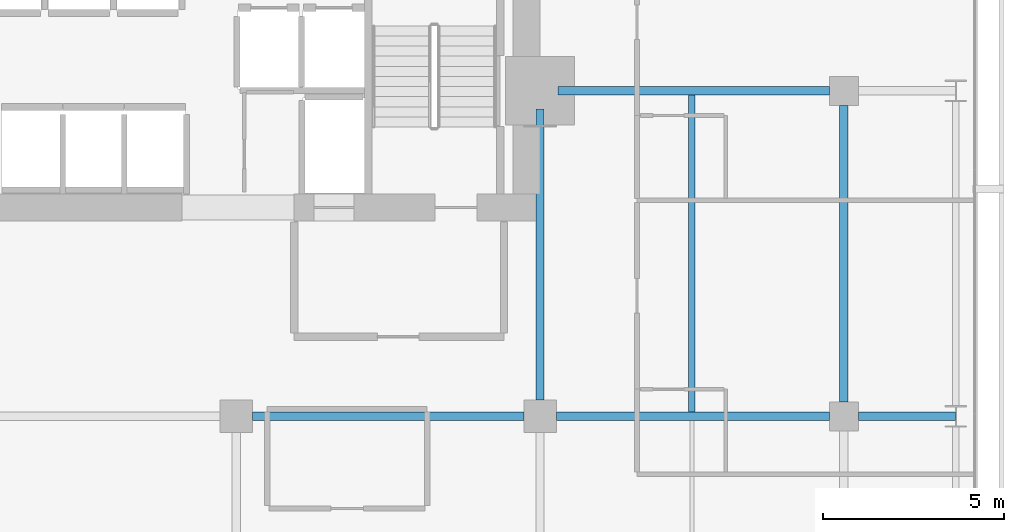
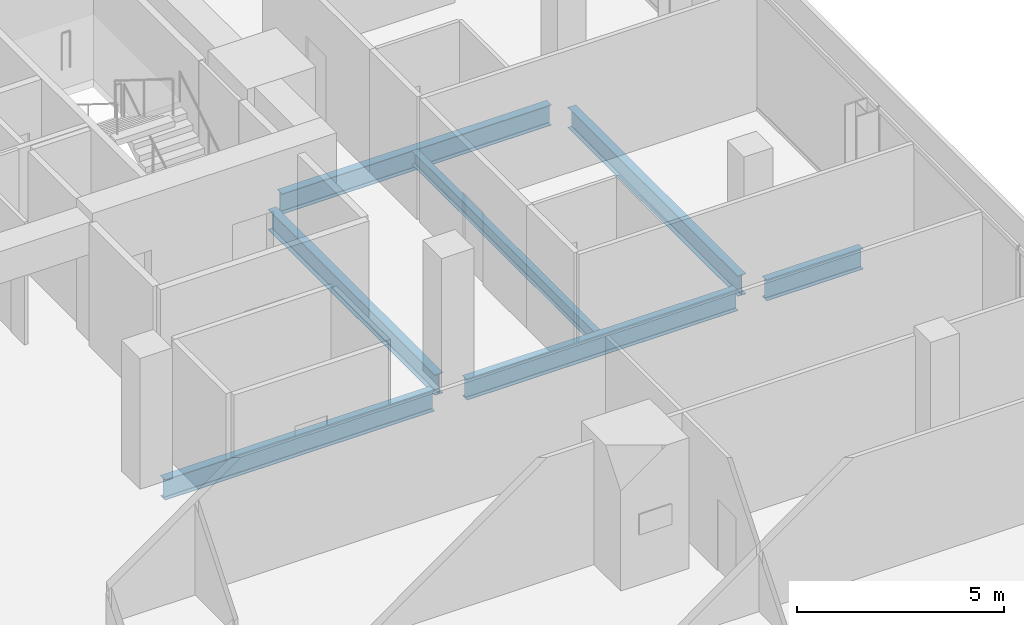
# One storey, part 23 of 34: 7 beams.
"""IFC4 building model written with IfcOpenShell, lengths in metres."""

from ifc_helpers import new_model, si_unit, direction, frame, origin, origin_2d, place, context, subcontext, project, spatial, i_section, extrude, material, material_profile, profile_set, type_object, element, save


model = new_model("IFC4")

# Units and contexts
model_context = context("Model", 3, precision=1e-05, world=origin(), true_north=direction((0.0, 1.0)))
body_context = subcontext(model_context, "Body", "Model", "MODEL_VIEW")
ifc_project = project(units=[si_unit("LENGTHUNIT", "METRE"), si_unit("AREAUNIT", "SQUARE_METRE"), si_unit("VOLUMEUNIT", "CUBIC_METRE"), si_unit("PLANEANGLEUNIT", "RADIAN"), si_unit("MASSUNIT", "GRAM", prefix="KILO")], contexts=[model_context])

# Site, building, storey
site_placement = place(None, origin())
site = spatial("IfcSite", under=ifc_project, at=site_placement, CompositionType="ELEMENT")
building_placement = place(site_placement, origin())
building = spatial("IfcBuilding", under=site, at=building_placement, Name="Maruvema Waterfront Hotel and Observation Tower", CompositionType="ELEMENT")
storey_placement = place(building_placement, frame((0.0, 0.0, 189.0)))
storey = spatial("IfcBuildingStorey", under=building, at=storey_placement, Name="L46", CompositionType="ELEMENT", Elevation=189.0)

# Beams
ifc_material_1 = material(Name="Steel ASTM A572 Grade 50", Category="steel")
ifc_material_profile_1 = material_profile(ifc_material_1, i_section(OverallWidth=0.22802734375, OverallDepth=0.60302734375, WebThickness=0.010498046875, FlangeThickness=0.014892578125, FilletRadius=0.01806640625, at=origin_2d()), Name="W610x101.0")
ifc_profile_set_1 = profile_set([ifc_material_profile_1], Name="Steel ASTM A572 Grade 50")
beam_type_1 = type_object("IfcBeamType", Name="Primary Floor Girder W610x101.0", PredefinedType="BEAM", material=ifc_profile_set_1)
beam_1_placement = place(storey_placement, frame((42.449951171875, 36.0, -0.54150390625), z_axis=(1.0, 0.0, 0.0), x_axis=(0.0, 1.0, 0.0)))
element("IfcBeam", 1, at=beam_1_placement, inside=storey, type_object=beam_type_1, Name="L46 Floor Girder EW-27", PredefinedType="BEAM", context=body_context, shape_type="SweptSolid", body=[
    extrude(i_section(OverallWidth=0.22802734375, OverallDepth=0.60302734375, WebThickness=0.010498046875, FlangeThickness=0.014892578125, FilletRadius=0.01806640625, at=origin_2d()), origin(), (0.0, 0.0, 1.0), 7.5),
])
beam_2_placement = place(storey_placement, frame((50.85009765625, 36.0, -0.54150390625), z_axis=(1.0, 0.0, 0.0), x_axis=(0.0, 1.0, 0.0)))
element("IfcBeam", 2, at=beam_2_placement, inside=storey, type_object=beam_type_1, Name="L46 Floor Girder EW-28", PredefinedType="BEAM", context=body_context, shape_type="SweptSolid", body=[
    extrude(i_section(OverallWidth=0.22802734375, OverallDepth=0.60302734375, WebThickness=0.010498046875, FlangeThickness=0.014892578125, FilletRadius=0.01806640625, at=origin_2d()), origin(), (0.0, 0.0, 1.0), 7.5498046875),
])
beam_3_placement = place(storey_placement, frame((59.199951171875, 36.0, -0.54150390625), z_axis=(1.0, 0.0, 0.0), x_axis=(0.0, 1.0, 0.0)))
element("IfcBeam", 3, at=beam_3_placement, inside=storey, type_object=beam_type_1, Name="L46 Floor Girder EW-29", PredefinedType="BEAM", context=body_context, shape_type="SweptSolid", body=[
    extrude(i_section(OverallWidth=0.22802734375, OverallDepth=0.60302734375, WebThickness=0.010498046875, FlangeThickness=0.014892578125, FilletRadius=0.01806640625, at=origin_2d()), origin(), (0.0, 0.0, 1.0), 2.6875),
])
beam_4_placement = place(storey_placement, frame((50.89990234375, 45.0, -0.54150390625), z_axis=(1.0, 0.0, 0.0), x_axis=(0.0, 1.0, 0.0)))
element("IfcBeam", 4, at=beam_4_placement, inside=storey, type_object=beam_type_1, Name="L46 Floor Girder EW-32", PredefinedType="BEAM", context=body_context, shape_type="SweptSolid", body=[
    extrude(i_section(OverallWidth=0.22802734375, OverallDepth=0.60302734375, WebThickness=0.010498046875, FlangeThickness=0.014892578125, FilletRadius=0.01806640625, at=origin_2d()), origin(), (0.0, 0.0, 1.0), 7.5),
])
beam_5_placement = place(storey_placement, frame((50.39990234375, 36.449951171875, -0.54150390625), z_axis=(0.0, 1.0, 0.0), x_axis=(-1.0, 0.0, 0.0)))
element("IfcBeam", 5, at=beam_5_placement, inside=storey, type_object=beam_type_1, Name="L46 Floor Girder NS-24", PredefinedType="BEAM", context=body_context, shape_type="SweptSolid", body=[
    extrude(i_section(OverallWidth=0.22802734375, OverallDepth=0.60302734375, WebThickness=0.010498046875, FlangeThickness=0.014892578125, FilletRadius=0.01806640625, at=origin_2d()), origin(), (0.0, 0.0, 1.0), 8.050048828125),
])
beam_6_placement = place(storey_placement, frame((58.800048828125, 36.39990234375, -0.54150390625), z_axis=(0.0, 1.0, 0.0), x_axis=(-1.0, 0.0, 0.0)))
element("IfcBeam", 6, at=beam_6_placement, inside=storey, type_object=beam_type_1, Name="L46 Floor Girder NS-28", PredefinedType="BEAM", context=body_context, shape_type="SweptSolid", body=[
    extrude(i_section(OverallWidth=0.22802734375, OverallDepth=0.60302734375, WebThickness=0.010498046875, FlangeThickness=0.014892578125, FilletRadius=0.01806640625, at=origin_2d()), origin(), (0.0, 0.0, 1.0), 8.2001953125),
])
ifc_material_2 = material(Name="Steel ASTM A572 Grade 50", Category="steel")
ifc_material_profile_2 = material_profile(ifc_material_2, i_section(OverallWidth=0.177001953125, OverallDepth=0.403076171875, WebThickness=0.007568359375, FlangeThickness=0.010986328125, FilletRadius=0.014892578125, at=origin_2d()), Name="W410x53.0")
ifc_profile_set_2 = profile_set([ifc_material_profile_2], Name="Steel ASTM A572 Grade 50")
beam_type_2 = type_object("IfcBeamType", Name="Secondary Floor Joist W410x53.0", PredefinedType="JOIST", material=ifc_profile_set_2)
beam_7_placement = place(storey_placement, frame((54.60009765625, 36.114013671875, -0.44140625), z_axis=(0.0, 1.0, 0.0), x_axis=(-1.0, 0.0, 0.0)))
element("IfcBeam", 7, at=beam_7_placement, inside=storey, type_object=beam_type_2, Name="L46 Secondary Floor Joist JS-14", PredefinedType="JOIST", context=body_context, shape_type="SweptSolid", body=[
    extrude(i_section(OverallWidth=0.177001953125, OverallDepth=0.403076171875, WebThickness=0.007568359375, FlangeThickness=0.010986328125, FilletRadius=0.014892578125, at=origin_2d()), origin(), (0.0, 0.0, 1.0), 8.77197265625),
])

save(model, "model.ifc")
